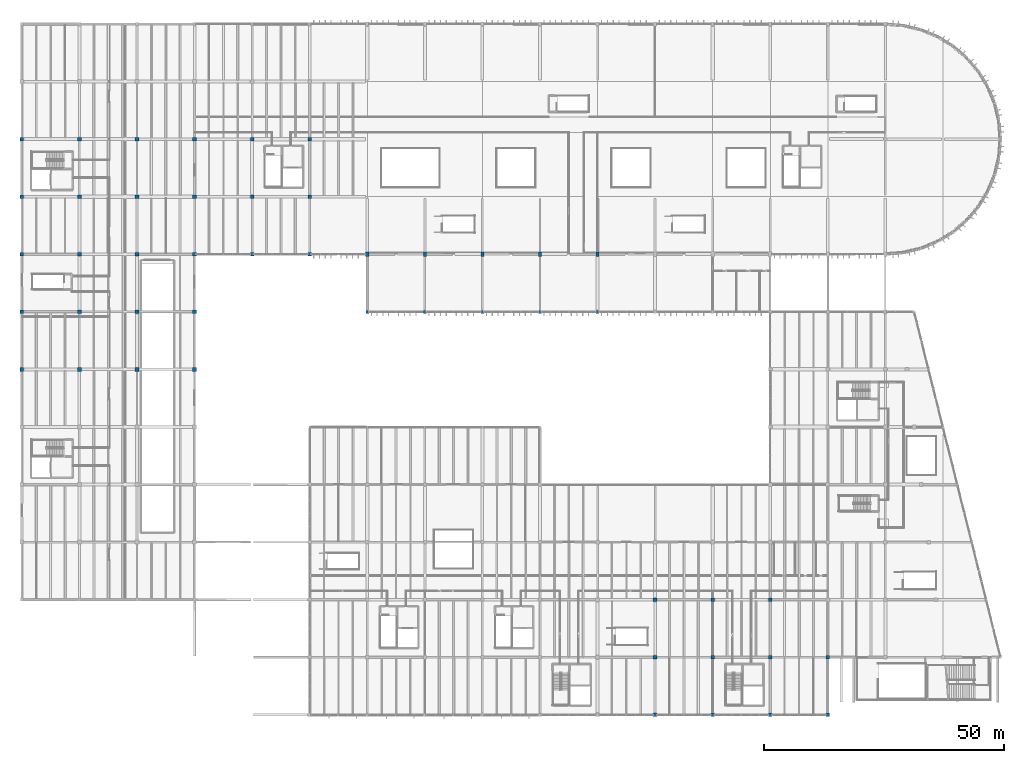
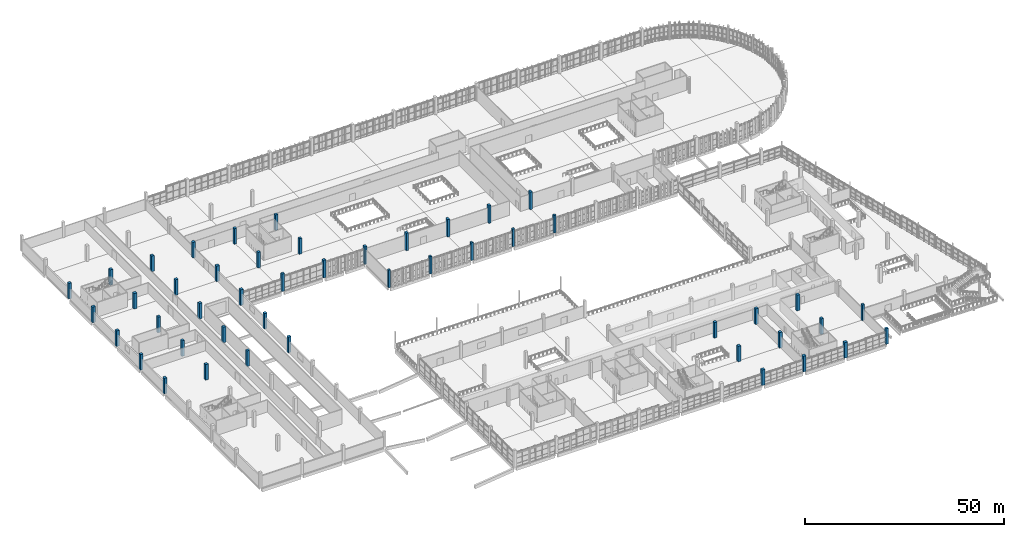
# One storey, part 7 of 112: 47 columns.
"""IFC4 building model written with IfcOpenShell, lengths in metres."""

from ifc_helpers import new_model, si_unit, direction, frame, origin, origin_2d, place, context, subcontext, project, spatial, rectangle, extrude, material, material_profile, profile_set, type_object, element, save


model = new_model("IFC4")

# Units and contexts
model_context = context("Model", 3, precision=1e-05, world=origin(), true_north=direction((0.0, 1.0)))
body_context = subcontext(model_context, "Body", "Model", "MODEL_VIEW")
ifc_project = project(units=[si_unit("LENGTHUNIT", "METRE"), si_unit("AREAUNIT", "SQUARE_METRE"), si_unit("VOLUMEUNIT", "CUBIC_METRE"), si_unit("PLANEANGLEUNIT", "RADIAN"), si_unit("MASSUNIT", "GRAM", prefix="KILO")], contexts=[model_context])

# Site, building, storey
site_placement = place(None, origin())
site = spatial("IfcSite", under=ifc_project, at=site_placement, CompositionType="ELEMENT")
building_placement = place(site_placement, origin())
building = spatial("IfcBuilding", under=site, at=building_placement, Name="Kamomehara Wholesale Market", CompositionType="ELEMENT")
storey_placement = place(building_placement, frame((0.0, 0.0, 6.60009765625)))
storey = spatial("IfcBuildingStorey", under=building, at=storey_placement, Name="L01", CompositionType="ELEMENT", Elevation=6.60009765625)

# Columns
ifc_material_1 = material(Name="Precast concrete Fc45 (C40/50)", Category="concrete")
ifc_material_profile_1 = material_profile(ifc_material_1, rectangle(XDim=0.6201171875, YDim=0.6201171875, at=origin_2d()), Name="PC-COL-620x620")
ifc_profile_set_1 = profile_set([ifc_material_profile_1], Name="Precast concrete Fc45 (C40/50)")
column_type_1 = type_object("IfcColumnType", Name="COL-PC620-EXT", PredefinedType="COLUMN", material=ifc_profile_set_1)
for number, where, z_axis, x_axis, name in (
    (1, (72.0, 96.0, 0.0), (0.0, 0.0, 1.0), (1.0, 0.0, 0.0), "Column C-16E L01"),
    (2, (84.0, 96.0, 0.0), (0.0, 0.0, 1.0), (1.0, 0.0, 0.0), "Column C-16E L01"),
    (3, (96.0, 96.0, 0.0), (0.0, 0.0, 1.0), (1.0, 0.0, 0.0), "Column C-16E L01"),
    (4, (108.0, 96.0, 0.0), (0.0, 0.0, 1.0), (1.0, 0.0, 0.0), "Column C-16E L01"),
    (5, (120.0, 96.0, 0.0), (0.0, 0.0, 1.0), (1.0, 0.0, 0.0), "Column C-16E L01"),
):
    element("IfcColumn", number, at=place(storey_placement, frame(where, z_axis=z_axis, x_axis=x_axis)), inside=storey, type_object=column_type_1, Name=name, PredefinedType="COLUMN", context=body_context, shape_type="SweptSolid", body=[
        extrude(rectangle(XDim=0.6201171875, YDim=0.6201171875, at=origin_2d()), origin(), (0.0, 0.0, 1.0), 5.39990234375),
    ])
ifc_material_2 = material(Name="Precast concrete Fc45 (C40/50)", Category="concrete")
ifc_material_profile_2 = material_profile(ifc_material_2, rectangle(XDim=0.699951171875, YDim=0.699951171875, at=origin_2d()), Name="PC-COL-700x700")
ifc_profile_set_2 = profile_set([ifc_material_profile_2], Name="Precast concrete Fc45 (C40/50)")
column_type_2 = type_object("IfcColumnType", Name="COL-PC700-EXT", PredefinedType="COLUMN", material=ifc_profile_set_2)
for number, where, z_axis, x_axis, name in (
    (6, (168.0, 12.0, 0.0), (0.0, 0.0, 1.0), (1.0, 0.0, 0.0), "Column C-05E L01"),
    (7, (168.0, 24.0, 0.0), (0.0, 0.0, 1.0), (1.0, 0.0, 0.0), "Column C-05E L01"),
):
    element("IfcColumn", number, at=place(storey_placement, frame(where, z_axis=z_axis, x_axis=x_axis)), inside=storey, type_object=column_type_2, Name=name, PredefinedType="COLUMN", context=body_context, shape_type="SweptSolid", body=[
        extrude(rectangle(XDim=0.699951171875, YDim=0.699951171875, at=origin_2d()), origin(), (0.0, 0.0, 1.0), 4.7998046875),
    ])
ifc_material_3 = material(Name="Precast concrete Fc45 (C40/50)", Category="concrete")
ifc_material_profile_3 = material_profile(ifc_material_3, rectangle(XDim=0.719970703125, YDim=0.719970703125, at=origin_2d()), Name="PC-COL-720x720")
ifc_profile_set_3 = profile_set([ifc_material_profile_3], Name="Precast concrete Fc45 (C40/50)")
column_type_3 = type_object("IfcColumnType", Name="COL-PC720", PredefinedType="COLUMN", material=ifc_profile_set_3)
for number, where, z_axis, x_axis, name in (
    (8, (48.0, 120.0, 0.0), (0.0, 0.0, 1.0), (1.0, 0.0, 0.0), "Column C-14 L01"),
    (9, (48.0, 132.0, 0.0), (0.0, 0.0, 1.0), (1.0, 0.0, 0.0), "Column C-14 L01"),
):
    element("IfcColumn", number, at=place(storey_placement, frame(where, z_axis=z_axis, x_axis=x_axis)), inside=storey, type_object=column_type_3, Name=name, PredefinedType="COLUMN", context=body_context, shape_type="SweptSolid", body=[
        extrude(rectangle(XDim=0.719970703125, YDim=0.719970703125, at=origin_2d()), origin(), (0.0, 0.0, 1.0), 4.7998046875),
    ])
ifc_material_4 = material(Name="Precast concrete Fc45 (C40/50)", Category="concrete")
ifc_material_profile_4 = material_profile(ifc_material_4, rectangle(XDim=0.719970703125, YDim=0.719970703125, at=origin_2d()), Name="PC-COL-720x720")
ifc_profile_set_4 = profile_set([ifc_material_profile_4], Name="Precast concrete Fc45 (C40/50)")
column_type_4 = type_object("IfcColumnType", Name="COL-PC720-EXT", PredefinedType="COLUMN", material=ifc_profile_set_4)
for number, where, z_axis, x_axis, name in (
    (10, (48.0, 108.0, 0.0), (0.0, 0.0, 1.0), (1.0, 0.0, 0.0), "Column C-14E L01"),
    (11, (60.0, 108.0, 0.0), (0.0, 0.0, 1.0), (1.0, 0.0, 0.0), "Column C-14E L01"),
):
    element("IfcColumn", number, at=place(storey_placement, frame(where, z_axis=z_axis, x_axis=x_axis)), inside=storey, type_object=column_type_4, Name=name, PredefinedType="COLUMN", context=body_context, shape_type="SweptSolid", body=[
        extrude(rectangle(XDim=0.719970703125, YDim=0.719970703125, at=origin_2d()), origin(), (0.0, 0.0, 1.0), 5.39990234375),
    ])
for number, where, z_axis, x_axis, name in (
    (12, (60.0, 120.0, 0.0), (0.0, 0.0, 1.0), (1.0, 0.0, 0.0), "Column C-14E L01"),
    (13, (60.0, 132.0, 0.0), (0.0, 0.0, 1.0), (1.0, 0.0, 0.0), "Column C-14E L01"),
):
    element("IfcColumn", number, at=place(storey_placement, frame(where, z_axis=z_axis, x_axis=x_axis)), inside=storey, type_object=column_type_4, Name=name, PredefinedType="COLUMN", context=body_context, shape_type="SweptSolid", body=[
        extrude(rectangle(XDim=0.719970703125, YDim=0.719970703125, at=origin_2d()), origin(), (0.0, 0.0, 1.0), 4.7998046875),
    ])
ifc_material_5 = material(Name="Precast concrete Fc45 (C40/50)", Category="concrete")
ifc_material_profile_5 = material_profile(ifc_material_5, rectangle(XDim=0.780029296875, YDim=0.780029296875, at=origin_2d()), Name="PC-COL-780x780")
ifc_profile_set_5 = profile_set([ifc_material_profile_5], Name="Precast concrete Fc45 (C40/50)")
column_type_5 = type_object("IfcColumnType", Name="COL-PC780", PredefinedType="COLUMN", material=ifc_profile_set_5)
for number, where, z_axis, x_axis, name in (
    (14, (12.0, 84.0, 0.0), (0.0, 0.0, 1.0), (1.0, 0.0, 0.0), "Column C-13 L01"),
    (15, (12.0, 120.0, 0.0), (0.0, 0.0, 1.0), (1.0, 0.0, 0.0), "Column C-13 L01"),
    (16, (12.0, 132.0, 0.0), (0.0, 0.0, 1.0), (1.0, 0.0, 0.0), "Column C-13 L01"),
    (17, (24.0, 84.0, 0.0), (0.0, 0.0, 1.0), (1.0, 0.0, 0.0), "Column C-13 L01"),
    (18, (24.0, 120.0, 0.0), (0.0, 0.0, 1.0), (1.0, 0.0, 0.0), "Column C-13 L01"),
    (19, (24.0, 132.0, 0.0), (0.0, 0.0, 1.0), (1.0, 0.0, 0.0), "Column C-13 L01"),
):
    element("IfcColumn", number, at=place(storey_placement, frame(where, z_axis=z_axis, x_axis=x_axis)), inside=storey, type_object=column_type_5, Name=name, PredefinedType="COLUMN", context=body_context, shape_type="SweptSolid", body=[
        extrude(rectangle(XDim=0.780029296875, YDim=0.780029296875, at=origin_2d()), origin(), (0.0, 0.0, 1.0), 4.7998046875),
    ])
ifc_material_6 = material(Name="Precast concrete Fc45 (C40/50)", Category="concrete")
ifc_material_profile_6 = material_profile(ifc_material_6, rectangle(XDim=0.780029296875, YDim=0.780029296875, at=origin_2d()), Name="PC-COL-780x780")
ifc_profile_set_6 = profile_set([ifc_material_profile_6], Name="Precast concrete Fc45 (C40/50)")
column_type_6 = type_object("IfcColumnType", Name="COL-PC780-EXT", PredefinedType="COLUMN", material=ifc_profile_set_6)
for number, where, z_axis, x_axis, name in (
    (20, (0.0, 84.0, 0.0), (0.0, 0.0, 1.0), (1.0, 0.0, 0.0), "Column C-13E L01"),
    (21, (0.0, 96.0, 0.0), (0.0, 0.0, 1.0), (1.0, 0.0, 0.0), "Column C-13E L01"),
    (22, (0.0, 108.0, 0.0), (0.0, 0.0, 1.0), (1.0, 0.0, 0.0), "Column C-13E L01"),
    (23, (0.0, 120.0, 0.0), (0.0, 0.0, 1.0), (1.0, 0.0, 0.0), "Column C-13E L01"),
    (24, (0.0, 132.0, 0.0), (0.0, 0.0, 1.0), (1.0, 0.0, 0.0), "Column C-13E L01"),
    (25, (12.0, 96.0, 0.0), (0.0, 0.0, 1.0), (1.0, 0.0, 0.0), "Column C-13E L01"),
    (26, (12.0, 108.0, 0.0), (0.0, 0.0, 1.0), (1.0, 0.0, 0.0), "Column C-13E L01"),
    (27, (24.0, 96.0, 0.0), (0.0, 0.0, 1.0), (1.0, 0.0, 0.0), "Column C-13E L01"),
    (28, (24.0, 108.0, 0.0), (0.0, 0.0, 1.0), (1.0, 0.0, 0.0), "Column C-13E L01"),
    (29, (36.0, 84.0, 0.0), (0.0, 0.0, 1.0), (1.0, 0.0, 0.0), "Column C-13E L01"),
    (30, (36.0, 96.0, 0.0), (0.0, 0.0, 1.0), (1.0, 0.0, 0.0), "Column C-13E L01"),
    (31, (36.0, 108.0, 0.0), (0.0, 0.0, 1.0), (1.0, 0.0, 0.0), "Column C-13E L01"),
    (32, (36.0, 120.0, 0.0), (0.0, 0.0, 1.0), (1.0, 0.0, 0.0), "Column C-13E L01"),
    (33, (36.0, 132.0, 0.0), (0.0, 0.0, 1.0), (1.0, 0.0, 0.0), "Column C-13E L01"),
):
    element("IfcColumn", number, at=place(storey_placement, frame(where, z_axis=z_axis, x_axis=x_axis)), inside=storey, type_object=column_type_6, Name=name, PredefinedType="COLUMN", context=body_context, shape_type="SweptSolid", body=[
        extrude(rectangle(XDim=0.780029296875, YDim=0.780029296875, at=origin_2d()), origin(), (0.0, 0.0, 1.0), 4.7998046875),
    ])
ifc_material_7 = material(Name="Precast concrete Fc45 (C40/50)", Category="concrete")
ifc_material_profile_7 = material_profile(ifc_material_7, rectangle(XDim=0.800048828125, YDim=0.800048828125, at=origin_2d()), Name="PC-COL-800x800")
ifc_profile_set_7 = profile_set([ifc_material_profile_7], Name="Precast concrete Fc45 (C40/50)")
column_type_7 = type_object("IfcColumnType", Name="COL-PC800-EXT", PredefinedType="COLUMN", material=ifc_profile_set_7)
for number, where, z_axis, x_axis, name in (
    (34, (132.0, 12.0, 0.0), (0.0, 0.0, 1.0), (1.0, 0.0, 0.0), "Column C-03E L01"),
    (35, (132.0, 24.0, 0.0), (0.0, 0.0, 1.0), (1.0, 0.0, 0.0), "Column C-03E L01"),
    (36, (132.0, 36.0, 0.0), (0.0, 0.0, 1.0), (1.0, 0.0, 0.0), "Column C-03E L01"),
    (37, (144.0, 12.0, 0.0), (0.0, 0.0, 1.0), (1.0, 0.0, 0.0), "Column C-03E L01"),
    (38, (144.0, 24.0, 0.0), (0.0, 0.0, 1.0), (1.0, 0.0, 0.0), "Column C-03E L01"),
    (39, (144.0, 36.0, 0.0), (0.0, 0.0, 1.0), (1.0, 0.0, 0.0), "Column C-03E L01"),
    (40, (156.0, 12.0, 0.0), (0.0, 0.0, 1.0), (1.0, 0.0, 0.0), "Column C-03E L01"),
    (41, (156.0, 24.0, 0.0), (0.0, 0.0, 1.0), (1.0, 0.0, 0.0), "Column C-03E L01"),
    (42, (156.0, 36.0, 0.0), (0.0, 0.0, 1.0), (1.0, 0.0, 0.0), "Column C-03E L01"),
):
    element("IfcColumn", number, at=place(storey_placement, frame(where, z_axis=z_axis, x_axis=x_axis)), inside=storey, type_object=column_type_7, Name=name, PredefinedType="COLUMN", context=body_context, shape_type="SweptSolid", body=[
        extrude(rectangle(XDim=0.800048828125, YDim=0.800048828125, at=origin_2d()), origin(), (0.0, 0.0, 1.0), 4.7998046875),
    ])
ifc_material_8 = material(Name="Precast concrete Fc45 (C40/50)", Category="concrete")
ifc_material_profile_8 = material_profile(ifc_material_8, rectangle(XDim=0.64990234375, YDim=0.89990234375, at=origin_2d()), Name="PC-COL-650x900")
ifc_profile_set_8 = profile_set([ifc_material_profile_8], Name="Precast concrete Fc45 (C40/50)")
column_type_8 = type_object("IfcColumnType", Name="COL-PCR900-EXT", PredefinedType="COLUMN", material=ifc_profile_set_8)
for number, where, z_axis, x_axis, name in (
    (43, (72.0, 108.0, 0.0), (0.0, 0.0, 1.0), (1.0, 0.0, 0.0), "Column C-10E L01"),
    (44, (84.0, 108.0, 0.0), (0.0, 0.0, 1.0), (1.0, 0.0, 0.0), "Column C-10E L01"),
    (45, (96.0, 108.0, 0.0), (0.0, 0.0, 1.0), (1.0, 0.0, 0.0), "Column C-10E L01"),
    (46, (108.0, 108.0, 0.0), (0.0, 0.0, 1.0), (1.0, 0.0, 0.0), "Column C-10E L01"),
    (47, (120.0, 108.0, 0.0), (0.0, 0.0, 1.0), (1.0, 0.0, 0.0), "Column C-10E L01"),
):
    element("IfcColumn", number, at=place(storey_placement, frame(where, z_axis=z_axis, x_axis=x_axis)), inside=storey, type_object=column_type_8, Name=name, PredefinedType="COLUMN", context=body_context, shape_type="SweptSolid", body=[
        extrude(rectangle(XDim=0.64990234375, YDim=0.89990234375, at=origin_2d()), origin(), (0.0, 0.0, 1.0), 5.39990234375),
    ])

save(model, "model.ifc")
